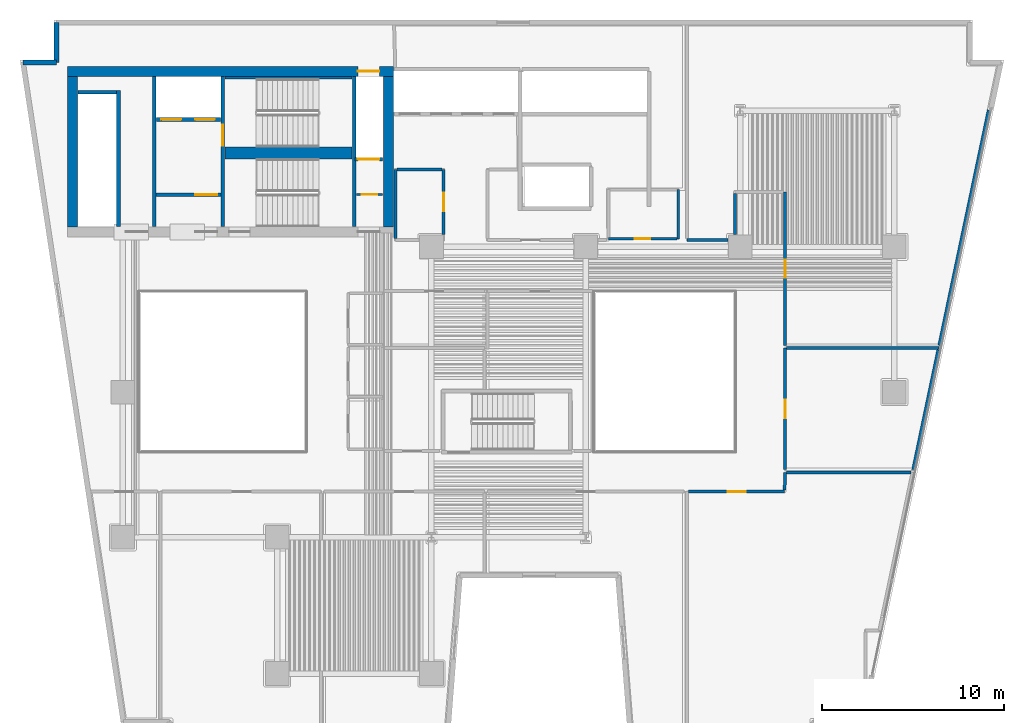
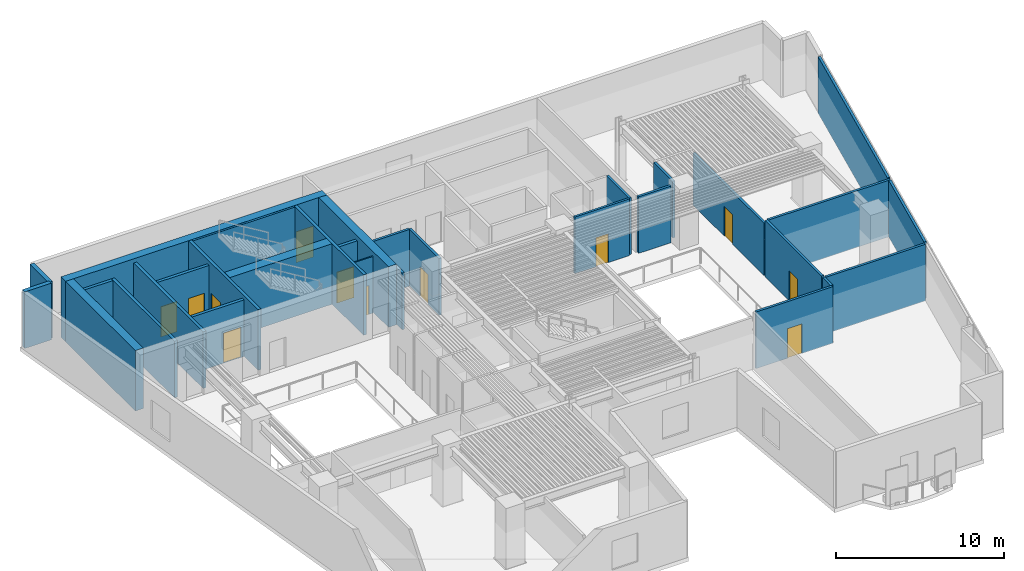
# One storey, part 5 of 12: 31 walls, 12 doors, 12 openings.
"""IFC4 building model written with IfcOpenShell, lengths in metres."""

from ifc_helpers import new_model, si_unit, direction, frame, frame_2d, origin, place, context, subcontext, project, spatial, rectangle, extrude, material, layer, layer_set, type_object, element, fill, save


model = new_model("IFC4")

# Units and contexts
model_context = context("Model", 3, precision=1e-05, world=origin(), true_north=direction((0.0, 1.0)))
body_context = subcontext(model_context, "Body", "Model", "MODEL_VIEW")
ifc_project = project(units=[si_unit("LENGTHUNIT", "METRE"), si_unit("AREAUNIT", "SQUARE_METRE"), si_unit("VOLUMEUNIT", "CUBIC_METRE"), si_unit("PLANEANGLEUNIT", "RADIAN"), si_unit("MASSUNIT", "GRAM", prefix="KILO")], contexts=[model_context])

# Site, building, storey
site_placement = place(None, origin())
site = spatial("IfcSite", under=ifc_project, at=site_placement, CompositionType="ELEMENT")
building_placement = place(site_placement, origin())
building = spatial("IfcBuilding", under=site, at=building_placement, Name="Caeloran Harvest Quay", CompositionType="ELEMENT")
storey_placement = place(building_placement, frame((0.0, 0.0, 88.60009765625)))
storey = spatial("IfcBuildingStorey", under=building, at=storey_placement, Name="L20", CompositionType="ELEMENT", Elevation=88.60009765625)

# Walls
ifc_material_1 = material(Name="Precast concrete C50/60", Category="concrete")
ifc_layer_1 = layer(ifc_material_1, 0.280029296875, Name="Precast concrete C50/60")
ifc_layer_set_1 = layer_set([ifc_layer_1], Name="Precast concrete C50/60")
wall_type_1 = type_object("IfcWallType", Name="ENV-WALL-EW-280", PredefinedType="STANDARD", material=ifc_layer_set_1)
wall_1_placement = place(storey_placement, frame((2.99755859375, 41.159912109375, 0.0), z_axis=(0.0, 0.0, 1.0), x_axis=(1.0, 0.0, 0.0)))
element("IfcWall", 1, at=wall_1_placement, inside=storey, type_object=wall_type_1, Name="L20 Exterior Precast Concrete Facade Wall 4", PredefinedType="STANDARD", context=body_context, shape_type="SweptSolid", body=[
    extrude(rectangle(XDim=1.842529296875, YDim=0.280029296875, at=frame_2d((0.92138671875, 0.0))), origin(), (0.0, 0.0, 1.0), 4.114990234375),
])
wall_2_placement = place(storey_placement, frame((4.840087890625, 41.159912109375, 0.0), z_axis=(0.0, 0.0, 1.0), x_axis=(0.0, 1.0, 0.0)))
element("IfcWall", 2, at=wall_2_placement, inside=storey, type_object=wall_type_1, Name="L20 Exterior Precast Concrete Facade Wall 5", PredefinedType="STANDARD", context=body_context, shape_type="SweptSolid", body=[
    extrude(rectangle(XDim=2.2001953125, YDim=0.280029296875, at=frame_2d((1.10009765625, 0.0))), origin(), (0.0, 0.0, 1.0), 4.114990234375),
])

# Wall, opening, door
ifc_material_2 = material(Name="Fire-Resisting Gypsum Core Riser Partition", Category="gypsum")
ifc_layer_2 = layer(ifc_material_2, 0.10009765625, Name="Fire-Resisting Gypsum Core Riser Partition")
ifc_layer_set_2 = layer_set([ifc_layer_2], Name="Fire-Resisting Gypsum Core Riser Partition")
wall_type_2 = type_object("IfcWallType", Name="INT-WALL-PW-100", PredefinedType="PARTITIONING", material=ifc_layer_set_2)
wall_3_placement = place(storey_placement, frame((21.3798828125, 33.889892578125, 0.0), z_axis=(0.0, 0.0, 1.0), x_axis=(1.0, 0.0, 0.0)))
wall_3 = element("IfcWall", 3, at=wall_3_placement, inside=storey, type_object=wall_type_2, Name="L20 Cleaner Store Partition Wall", PredefinedType="PARTITIONING", context=body_context, shape_type="SweptSolid", body=[
    extrude(rectangle(XDim=1.420166015625, YDim=0.10009765625, at=frame_2d((0.7099609375, 0.0))), origin(), (0.0, 0.0, 1.0), 4.114990234375),
])
opening_1_placement = place(wall_3_placement, frame((0.280029296875, 0.0, 0.0)))
opening_1 = element("IfcOpeningElement", 4, at=opening_1_placement, cuts=wall_3, Name="Opening SV-01", PredefinedType="OPENING", context=body_context, shape_type="SweptSolid", body=[
    extrude(rectangle(XDim=0.85009765625, YDim=2.10009765625, at=frame_2d((0.425048828125, 1.050048828125))), frame((0.0, 0.06005859375, 0.0), z_axis=(0.0, -1.0, 0.0), x_axis=(1.0, 0.0, 0.0)), (0.0, 0.0, 1.0), 0.1201171875),
])
ifc_material_3 = material(Name="Galvanized Painted Steel", Category="steel")
door_type_1 = type_object("IfcDoorType", Name="INTDOOR-SV-01", OperationType="NOTDEFINED", PredefinedType="DOOR", material=ifc_material_3)
door_1_placement = place(opening_1_placement, origin())
door_1 = element("IfcDoor", 5, at=door_1_placement, inside=storey, type_object=door_type_1, Name="L20 Cleaner Supply Store Access Door", OperationType="SINGLE_SWING_RIGHT", OverallHeight=2.10009765625, OverallWidth=0.85009765625, PredefinedType="DOOR", context=body_context, shape_type="SweptSolid", body=[
    extrude(rectangle(XDim=0.85009765625, YDim=2.10009765625, at=frame_2d((0.425048828125, 1.050048828125))), frame((0.0, 0.02490234375, 0.0), z_axis=(0.0, -1.0, 0.0), x_axis=(1.0, 0.0, 0.0)), (0.0, 0.0, 1.0), 0.050048828125),
])
fill(opening_1, door_1)

# Wall
ifc_material_4 = material(Name="Autoclaved Aerated Concrete Blockwork and Plasterboard", Category="masonry")
ifc_layer_3 = layer(ifc_material_4, 0.14990234375, Name="Autoclaved Aerated Concrete Blockwork and Plasterboard")
ifc_layer_set_3 = layer_set([ifc_layer_3], Name="Autoclaved Aerated Concrete Blockwork and Plasterboard")
wall_type_3 = type_object("IfcWallType", Name="INT-WALL-PW-150", PredefinedType="PARTITIONING", material=ifc_layer_set_3)
wall_4_placement = place(storey_placement, frame((39.10009765625, 34.14990234375, 0.0), z_axis=(0.0, 0.0, 1.0), x_axis=(0.0, -1.0, 0.0)))
element("IfcWall", 6, at=wall_4_placement, inside=storey, type_object=wall_type_3, Name="L20 Core Auxiliary Equipment Room Partition Wall", PredefinedType="PARTITIONING", context=body_context, shape_type="SweptSolid", body=[
    extrude(rectangle(XDim=2.699951171875, YDim=0.14990234375, at=frame_2d((1.35009765625, 0.0))), origin(), (0.0, 0.0, 1.0), 4.114990234375),
])

# Wall, opening, door
wall_5_placement = place(storey_placement, frame((39.02001953125, 31.449951171875, 0.0), z_axis=(0.0, 0.0, 1.0), x_axis=(-1.0, 0.0, 0.0)))
wall_5 = element("IfcWall", 7, at=wall_5_placement, inside=storey, type_object=wall_type_3, Name="L20 Core Auxiliary Equipment Room Partition Wall", PredefinedType="PARTITIONING", context=body_context, shape_type="SweptSolid", body=[
    extrude(rectangle(XDim=3.77001953125, YDim=0.14990234375, at=frame_2d((1.885009765625, 0.0))), origin(), (0.0, 0.0, 1.0), 4.114990234375),
])
opening_2_placement = place(wall_5_placement, frame((1.4599609375, 0.0, 0.0)))
opening_2 = element("IfcOpeningElement", 8, at=opening_2_placement, cuts=wall_5, Name="Opening SV-01", PredefinedType="OPENING", context=body_context, shape_type="SweptSolid", body=[
    extrude(rectangle(XDim=0.85009765625, YDim=2.10009765625, at=frame_2d((0.425048828125, 1.050048828125))), frame((0.0, 0.0849609375, 0.0), z_axis=(0.0, -1.0, 0.0), x_axis=(1.0, 0.0, 0.0)), (0.0, 0.0, 1.0), 0.169921875),
])
door_2_placement = place(opening_2_placement, origin())
door_2 = element("IfcDoor", 9, at=door_2_placement, inside=storey, type_object=door_type_1, Name="L20 Core Auxiliary Equipment Room Access Door", OperationType="SINGLE_SWING_RIGHT", OverallHeight=2.10009765625, OverallWidth=0.85009765625, PredefinedType="DOOR", context=body_context, shape_type="SweptSolid", body=[
    extrude(rectangle(XDim=0.85009765625, YDim=2.10009765625, at=frame_2d((0.425048828125, 1.050048828125))), frame((0.0, 0.02490234375, 0.0), z_axis=(0.0, -1.0, 0.0), x_axis=(1.0, 0.0, 0.0)), (0.0, 0.0, 1.0), 0.050048828125),
])
fill(opening_2, door_2)

ifc_material_5 = material(Name="Autoclaved Aerated Concrete Blockwork", Category="masonry")
ifc_layer_4 = layer(ifc_material_5, 0.1650390625, Name="Autoclaved Aerated Concrete Blockwork")
ifc_layer_set_4 = layer_set([ifc_layer_4], Name="Autoclaved Aerated Concrete Blockwork")
wall_type_4 = type_object("IfcWallType", Name="INT-WALL-PW-165", PredefinedType="PARTITIONING", material=ifc_layer_set_4)
wall_6_placement = place(storey_placement, frame((39.66748046875, 17.52001953125, 0.0), z_axis=(0.0, 0.0, 1.0), x_axis=(1.0, 0.0, 0.0)))
wall_6 = element("IfcWall", 10, at=wall_6_placement, inside=storey, type_object=wall_type_4, Name="Sensory Fermentation Kitchen Partition Wall", PredefinedType="PARTITIONING", context=body_context, shape_type="SweptSolid", body=[
    extrude(rectangle(XDim=5.282470703125, YDim=0.1650390625, at=frame_2d((2.64111328125, 0.0))), origin(), (0.0, 0.0, 1.0), 4.114990234375),
])
opening_3_placement = place(wall_6_placement, frame((2.141357421875, 0.0, 0.0)))
opening_3 = element("IfcOpeningElement", 11, at=opening_3_placement, cuts=wall_6, Name="Opening ID-01", PredefinedType="OPENING", context=body_context, shape_type="SweptSolid", body=[
    extrude(rectangle(XDim=1.0, YDim=2.14990234375, at=frame_2d((0.5, 1.074951171875))), frame((0.0, 0.092529296875, 0.0), z_axis=(0.0, -1.0, 0.0), x_axis=(1.0, 0.0, 0.0)), (0.0, 0.0, 1.0), 0.18505859375),
])
ifc_material_6 = material(Name="FSC Solid-Core Ash Timber and Acoustic Seal", Category="wood")
door_type_2 = type_object("IfcDoorType", Name="INTDOOR-ID-01", OperationType="NOTDEFINED", PredefinedType="DOOR", material=ifc_material_6)
door_3_placement = place(opening_3_placement, origin())
door_3 = element("IfcDoor", 12, at=door_3_placement, inside=storey, type_object=door_type_2, Name="Sensory Fermentation Kitchen Access Door", OperationType="SINGLE_SWING_RIGHT", OverallHeight=2.14990234375, OverallWidth=1.0, PredefinedType="DOOR", context=body_context, shape_type="SweptSolid", body=[
    extrude(rectangle(XDim=1.0, YDim=2.14990234375, at=frame_2d((0.5, 1.074951171875))), frame((0.0, 0.02490234375, 0.0), z_axis=(0.0, -1.0, 0.0), x_axis=(1.0, 0.0, 0.0)), (0.0, 0.0, 1.0), 0.050048828125),
])
fill(opening_3, door_3)

# Walls
wall_7_placement = place(storey_placement, frame((44.952392578125, 17.606689453125, 0.0), z_axis=(0.0, 0.0, 1.0), x_axis=(0.028624859452, 0.999590224753, 0.0)))
element("IfcWall", 13, at=wall_7_placement, inside=storey, type_object=wall_type_4, Name="Sensory Fermentation Kitchen Partition Wall", PredefinedType="PARTITIONING", context=body_context, shape_type="SweptSolid", body=[
    extrude(rectangle(XDim=0.9638671875, YDim=0.1650390625, at=frame_2d((0.48193359375, 0.0))), origin(), (0.0, 0.0, 1.0), 4.114990234375),
])
wall_8_placement = place(storey_placement, frame((45.06689453125, 18.570068359375, 0.0), z_axis=(0.0, 0.0, 1.0), x_axis=(1.0, 0.0, 0.0)))
element("IfcWall", 14, at=wall_8_placement, inside=storey, type_object=wall_type_4, Name="Sensory Fermentation Kitchen Partition Wall", PredefinedType="PARTITIONING", context=body_context, shape_type="SweptSolid", body=[
    extrude(rectangle(XDim=6.8408203125, YDim=0.1650390625, at=frame_2d((3.42041015625, 0.0))), origin(), (0.0, 0.0, 1.0), 4.114990234375),
])

# Wall, opening, door
wall_9_placement = place(storey_placement, frame((44.97998046875, 18.72998046875, 0.0), z_axis=(0.0, 0.0, 1.0), x_axis=(0.0, 1.0, 0.0)))
wall_9 = element("IfcWall", 15, at=wall_9_placement, inside=storey, type_object=wall_type_4, Name="Chef Development Kitchen Partition Wall", PredefinedType="PARTITIONING", context=body_context, shape_type="SweptSolid", body=[
    extrude(rectangle(XDim=6.68994140625, YDim=0.1650390625, at=frame_2d((3.344970703125, 0.0))), origin(), (0.0, 0.0, 1.0), 4.114990234375),
])
opening_4_placement = place(wall_9_placement, frame((2.844970703125, 0.0, 0.0)))
opening_4 = element("IfcOpeningElement", 16, at=opening_4_placement, cuts=wall_9, Name="Opening ID-01", PredefinedType="OPENING", context=body_context, shape_type="SweptSolid", body=[
    extrude(rectangle(XDim=1.0, YDim=2.14990234375, at=frame_2d((0.5, 1.074951171875))), frame((0.0, 0.092529296875, 0.0), z_axis=(0.0, -1.0, 0.0), x_axis=(1.0, 0.0, 0.0)), (0.0, 0.0, 1.0), 0.18505859375),
])
door_4_placement = place(opening_4_placement, origin())
door_4 = element("IfcDoor", 17, at=door_4_placement, inside=storey, type_object=door_type_2, Name="Chef Development Kitchen Access Door", OperationType="SINGLE_SWING_LEFT", OverallHeight=2.14990234375, OverallWidth=1.0, PredefinedType="DOOR", context=body_context, shape_type="SweptSolid", body=[
    extrude(rectangle(XDim=1.0, YDim=2.14990234375, at=frame_2d((0.5, 1.074951171875))), frame((0.0, 0.02490234375, 0.0), z_axis=(0.0, -1.0, 0.0), x_axis=(1.0, 0.0, 0.0)), (0.0, 0.0, 1.0), 0.050048828125),
])
fill(opening_4, door_4)

# Walls
wall_10_placement = place(storey_placement, frame((45.0673828125, 25.419921875, 0.0), z_axis=(0.0, 0.0, 1.0), x_axis=(1.0, 0.0, 0.0)))
element("IfcWall", 18, at=wall_10_placement, inside=storey, type_object=wall_type_4, Name="Chef Development Kitchen Partition Wall", PredefinedType="PARTITIONING", context=body_context, shape_type="SweptSolid", body=[
    extrude(rectangle(XDim=8.384033203125, YDim=0.1650390625, at=frame_2d((4.19189453125, 0.0))), origin(), (0.0, 0.0, 1.0), 4.114990234375),
])
wall_11_placement = place(storey_placement, frame((53.41748046875, 25.33251953125, 0.0), z_axis=(0.0, 0.0, 1.0), x_axis=(-0.205508916106, -0.978655243383, 0.0)))
element("IfcWall", 19, at=wall_11_placement, inside=storey, type_object=wall_type_4, Name="Chef Development Kitchen Partition Wall", PredefinedType="PARTITIONING", context=body_context, shape_type="SweptSolid", body=[
    extrude(rectangle(XDim=6.74658203125, YDim=0.1650390625, at=frame_2d((3.373291015625, 0.0))), origin(), (0.0, 0.0, 1.0), 4.114990234375),
])

# Wall, opening, door
wall_12_placement = place(storey_placement, frame((26.169921875, 35.27001953125, 0.0), z_axis=(0.0, 0.0, 1.0), x_axis=(0.0, -1.0, 0.0)))
wall_12 = element("IfcWall", 20, at=wall_12_placement, inside=storey, type_object=wall_type_4, Name="Sensory Fermentation Kitchen 10 Partition Wall", PredefinedType="PARTITIONING", context=body_context, shape_type="SweptSolid", body=[
    extrude(rectangle(XDim=3.594970703125, YDim=0.1650390625, at=frame_2d((1.79736328125, 0.0))), origin(), (0.0, 0.0, 1.0), 4.114990234375),
])
opening_5_placement = place(wall_12_placement, frame((1.297607421875, 0.0, 0.0)))
opening_5 = element("IfcOpeningElement", 21, at=opening_5_placement, cuts=wall_12, Name="Opening ID-01", PredefinedType="OPENING", context=body_context, shape_type="SweptSolid", body=[
    extrude(rectangle(XDim=1.0, YDim=2.14990234375, at=frame_2d((0.5, 1.074951171875))), frame((0.0, 0.092529296875, 0.0), z_axis=(0.0, -1.0, 0.0), x_axis=(1.0, 0.0, 0.0)), (0.0, 0.0, 1.0), 0.18505859375),
])
door_5_placement = place(opening_5_placement, origin())
door_5 = element("IfcDoor", 22, at=door_5_placement, inside=storey, type_object=door_type_2, Name="Sensory Fermentation Kitchen 10 Access Door", OperationType="SINGLE_SWING_RIGHT", OverallHeight=2.14990234375, OverallWidth=1.0, PredefinedType="DOOR", context=body_context, shape_type="SweptSolid", body=[
    extrude(rectangle(XDim=1.0, YDim=2.14990234375, at=frame_2d((0.5, 1.074951171875))), frame((0.0, 0.02490234375, 0.0), z_axis=(0.0, -1.0, 0.0), x_axis=(1.0, 0.0, 0.0)), (0.0, 0.0, 1.0), 0.050048828125),
])
fill(opening_5, door_5)

# Walls
wall_13_placement = place(storey_placement, frame((23.510009765625, 31.467529296875, 0.0), z_axis=(0.0, 0.0, 1.0), x_axis=(0.0, 1.0, 0.0)))
element("IfcWall", 23, at=wall_13_placement, inside=storey, type_object=wall_type_4, Name="Sensory Fermentation Kitchen 10 Partition Wall", PredefinedType="PARTITIONING", context=body_context, shape_type="SweptSolid", body=[
    extrude(rectangle(XDim=3.804443359375, YDim=0.1650390625, at=frame_2d((1.90234375, 0.0))), origin(), (0.0, 0.0, 1.0), 4.114990234375),
])
wall_14_placement = place(storey_placement, frame((23.597412109375, 35.27001953125, 0.0), z_axis=(0.0, 0.0, 1.0), x_axis=(1.0, 0.0, 0.0)))
element("IfcWall", 24, at=wall_14_placement, inside=storey, type_object=wall_type_4, Name="Sensory Fermentation Kitchen 10 Partition Wall", PredefinedType="PARTITIONING", context=body_context, shape_type="SweptSolid", body=[
    extrude(rectangle(XDim=2.485107421875, YDim=0.1650390625, at=frame_2d((1.24267578125, 0.0))), origin(), (0.0, 0.0, 1.0), 4.114990234375),
])
wall_15_placement = place(storey_placement, frame((56.1943359375, 38.547607421875, 0.0), z_axis=(0.0, 0.0, 1.0), x_axis=(-0.205602819639, -0.978635519771, 0.0)))
element("IfcWall", 25, at=wall_15_placement, inside=storey, type_object=wall_type_4, Name="Gastronomy Seminar Room 11 Partition Wall", PredefinedType="PARTITIONING", context=body_context, shape_type="SweptSolid", body=[
    extrude(rectangle(XDim=13.250732421875, YDim=0.1650390625, at=frame_2d((6.62548828125, 0.0))), origin(), (0.0, 0.0, 1.0), 4.114990234375),
])

# Wall, opening, door
wall_16_placement = place(storey_placement, frame((44.97998046875, 25.580078125, 0.0), z_axis=(0.0, 0.0, 1.0), x_axis=(0.0, 1.0, 0.0)))
wall_16 = element("IfcWall", 26, at=wall_16_placement, inside=storey, type_object=wall_type_4, Name="Gastronomy Seminar Room 11 Partition Wall", PredefinedType="PARTITIONING", context=body_context, shape_type="SweptSolid", body=[
    extrude(rectangle(XDim=8.449951171875, YDim=0.1650390625, at=frame_2d((4.22509765625, 0.0))), origin(), (0.0, 0.0, 1.0), 3.7998046875),
])
opening_6_placement = place(wall_16_placement, frame((3.72509765625, 0.0, 0.0)))
opening_6 = element("IfcOpeningElement", 27, at=opening_6_placement, cuts=wall_16, Name="Opening ID-01", PredefinedType="OPENING", context=body_context, shape_type="SweptSolid", body=[
    extrude(rectangle(XDim=1.0, YDim=2.14990234375, at=frame_2d((0.5, 1.074951171875))), frame((0.0, 0.092529296875, 0.0), z_axis=(0.0, -1.0, 0.0), x_axis=(1.0, 0.0, 0.0)), (0.0, 0.0, 1.0), 0.18505859375),
])
door_6_placement = place(opening_6_placement, origin())
door_6 = element("IfcDoor", 28, at=door_6_placement, inside=storey, type_object=door_type_2, Name="Gastronomy Seminar Room 11 Access Door", OperationType="SINGLE_SWING_LEFT", OverallHeight=2.14990234375, OverallWidth=1.0, PredefinedType="DOOR", context=body_context, shape_type="SweptSolid", body=[
    extrude(rectangle(XDim=1.0, YDim=2.14990234375, at=frame_2d((0.5, 1.074951171875))), frame((0.0, 0.02490234375, 0.0), z_axis=(0.0, -1.0, 0.0), x_axis=(1.0, 0.0, 0.0)), (0.0, 0.0, 1.0), 0.050048828125),
])
fill(opening_6, door_6)

# Walls
wall_17_placement = place(storey_placement, frame((42.219970703125, 33.9423828125, 0.0), z_axis=(0.0, 0.0, 1.0), x_axis=(0.0, -1.0, 0.0)))
element("IfcWall", 29, at=wall_17_placement, inside=storey, type_object=wall_type_4, Name="Gastronomy Seminar Room 11 Partition Wall", PredefinedType="PARTITIONING", context=body_context, shape_type="SweptSolid", body=[
    extrude(rectangle(XDim=2.267333984375, YDim=0.1650390625, at=frame_2d((1.1337890625, 0.0))), origin(), (0.0, 0.0, 1.0), 4.114990234375),
])
wall_18_placement = place(storey_placement, frame((41.824951171875, 31.3798828125, 0.0), z_axis=(0.0, 0.0, 1.0), x_axis=(-1.0, 0.0, 0.0)))
element("IfcWall", 30, at=wall_18_placement, inside=storey, type_object=wall_type_4, Name="Gastronomy Seminar Room 11 Partition Wall", PredefinedType="PARTITIONING", context=body_context, shape_type="SweptSolid", body=[
    extrude(rectangle(XDim=2.244873046875, YDim=0.1650390625, at=frame_2d((1.12255859375, 0.0))), origin(), (0.0, 0.0, 1.0), 4.114990234375),
])
ifc_material_7 = material(Name="Concrete C50/60", Category="concrete")
ifc_layer_5 = layer(ifc_material_7, 0.199951171875, Name="Concrete C50/60")
ifc_layer_set_5 = layer_set([ifc_layer_5], Name="Concrete C50/60")
wall_type_5 = type_object("IfcWallType", Name="INT-WALL-SW-200", PredefinedType="PARTITIONING", material=ifc_layer_set_5)
wall_19_placement = place(storey_placement, frame((8.260009765625, 32.1201171875, 0.0), z_axis=(0.0, 0.0, 1.0), x_axis=(0.0, 1.0, 0.0)))
element("IfcWall", 31, at=wall_19_placement, inside=storey, type_object=wall_type_5, Name="L20 Bank 3 Lift Shaft Wall", PredefinedType="PARTITIONING", context=body_context, shape_type="SweptSolid", body=[
    extrude(rectangle(XDim=7.5, YDim=0.199951171875, at=frame_2d((3.75, 0.0))), origin(), (0.0, 0.0, 1.0), 4.114990234375),
])
wall_20_placement = place(storey_placement, frame((6.02001953125, 39.52001953125, 0.0), z_axis=(0.0, 0.0, 1.0), x_axis=(1.0, 0.0, 0.0)))
element("IfcWall", 32, at=wall_20_placement, inside=storey, type_object=wall_type_5, Name="L20 Bank 3 Lift Shaft North End Wall", PredefinedType="PARTITIONING", context=body_context, shape_type="SweptSolid", body=[
    extrude(rectangle(XDim=2.119873046875, YDim=0.199951171875, at=frame_2d((1.06005859375, 0.0))), origin(), (0.0, 0.0, 1.0), 4.114990234375),
])
wall_21_placement = place(storey_placement, frame((10.219970703125, 32.1201171875, 0.0), z_axis=(0.0, 0.0, 1.0), x_axis=(0.0, 1.0, 0.0)))
element("IfcWall", 33, at=wall_21_placement, inside=storey, type_object=wall_type_5, Name="L20 Core Lobby Compartment Wall", PredefinedType="PARTITIONING", context=body_context, shape_type="SweptSolid", body=[
    extrude(rectangle(XDim=8.259765625, YDim=0.199951171875, at=frame_2d((4.1298828125, 0.0))), origin(), (0.0, 0.0, 1.0), 4.114990234375),
])

# Wall, openings, doors
wall_22_placement = place(storey_placement, frame((10.340087890625, 38.02001953125, 0.0), z_axis=(0.0, 0.0, 1.0), x_axis=(1.0, 0.0, 0.0)))
wall_22 = element("IfcWall", 34, at=wall_22_placement, inside=storey, type_object=wall_type_5, Name="L20 Firefighting Lift Shaft Wall", PredefinedType="PARTITIONING", context=body_context, shape_type="SweptSolid", body=[
    extrude(rectangle(XDim=3.539794921875, YDim=0.199951171875, at=frame_2d((1.77001953125, 0.0))), origin(), (0.0, 0.0, 1.0), 4.114990234375),
])
opening_7_placement = place(wall_22_placement, frame((0.284912109375, 0.0, 0.0)))
opening_7 = element("IfcOpeningElement", 35, at=opening_7_placement, cuts=wall_22, Name="Opening LD-01", PredefinedType="OPENING", context=body_context, shape_type="SweptSolid", body=[
    extrude(rectangle(XDim=1.10009765625, YDim=2.199951171875, at=frame_2d((0.550048828125, 1.10009765625))), frame((0.0, 0.10986328125, 0.0), z_axis=(0.0, -1.0, 0.0), x_axis=(1.0, 0.0, 0.0)), (0.0, 0.0, 1.0), 0.219970703125),
])
opening_8_placement = place(wall_22_placement, frame((2.135009765625, 0.0, 0.0)))
opening_8 = element("IfcOpeningElement", 36, at=opening_8_placement, cuts=wall_22, Name="Opening LD-01", PredefinedType="OPENING", context=body_context, shape_type="SweptSolid", body=[
    extrude(rectangle(XDim=1.10009765625, YDim=2.199951171875, at=frame_2d((0.550048828125, 1.10009765625))), frame((0.0, 0.10986328125, 0.0), z_axis=(0.0, -1.0, 0.0), x_axis=(1.0, 0.0, 0.0)), (0.0, 0.0, 1.0), 0.219970703125),
])
ifc_material_8 = material(Name="Stainless Steel Grade 316", Category="steel")
door_type_3 = type_object("IfcDoorType", Name="INTDOOR-LD-01", OperationType="NOTDEFINED", PredefinedType="DOOR", material=ifc_material_8)
door_7_placement = place(opening_7_placement, origin())
door_7 = element("IfcDoor", 37, at=door_7_placement, inside=storey, type_object=door_type_3, Name="Lift FF-1 Sliding Landing Door (L20)", OperationType="DOUBLE_DOOR_SLIDING", OverallHeight=2.199951171875, OverallWidth=1.10009765625, PredefinedType="DOOR", context=body_context, shape_type="SweptSolid", body=[
    extrude(rectangle(XDim=1.10009765625, YDim=2.199951171875, at=frame_2d((0.550048828125, 1.10009765625))), frame((0.0, 0.02490234375, 0.0), z_axis=(0.0, -1.0, 0.0), x_axis=(1.0, 0.0, 0.0)), (0.0, 0.0, 1.0), 0.050048828125),
])
fill(opening_7, door_7)
door_8_placement = place(opening_8_placement, origin())
door_8 = element("IfcDoor", 38, at=door_8_placement, inside=storey, type_object=door_type_3, Name="Lift FF-2 Sliding Landing Door (L20)", OperationType="DOUBLE_DOOR_SLIDING", OverallHeight=2.199951171875, OverallWidth=1.10009765625, PredefinedType="DOOR", context=body_context, shape_type="SweptSolid", body=[
    extrude(rectangle(XDim=1.10009765625, YDim=2.199951171875, at=frame_2d((0.550048828125, 1.10009765625))), frame((0.0, 0.02490234375, 0.0), z_axis=(0.0, -1.0, 0.0), x_axis=(1.0, 0.0, 0.0)), (0.0, 0.0, 1.0), 0.050048828125),
])
fill(opening_8, door_8)

# Wall, opening, door
wall_23_placement = place(storey_placement, frame((10.340087890625, 33.8798828125, 0.0), z_axis=(0.0, 0.0, 1.0), x_axis=(1.0, 0.0, 0.0)))
wall_23 = element("IfcWall", 39, at=wall_23_placement, inside=storey, type_object=wall_type_5, Name="L20 Firefighting Lift Lobby Enclosure Wall", PredefinedType="PARTITIONING", context=body_context, shape_type="SweptSolid", body=[
    extrude(rectangle(XDim=3.559814453125, YDim=0.199951171875, at=frame_2d((1.77978515625, 0.0))), origin(), (0.0, 0.0, 1.0), 4.114990234375),
])
opening_9_placement = place(wall_23_placement, frame((2.14990234375, 0.0, 0.0)))
opening_9 = element("IfcOpeningElement", 40, at=opening_9_placement, cuts=wall_23, Name="Opening FD-01", PredefinedType="OPENING", context=body_context, shape_type="SweptSolid", body=[
    extrude(rectangle(XDim=1.199951171875, YDim=2.199951171875, at=frame_2d((0.60009765625, 1.10009765625))), frame((0.0, 0.10986328125, 0.0), z_axis=(0.0, -1.0, 0.0), x_axis=(1.0, 0.0, 0.0)), (0.0, 0.0, 1.0), 0.219970703125),
])
ifc_material_9 = material(Name="Steel", Category="steel")
door_type_4 = type_object("IfcDoorType", Name="INTDOOR-FD-01", OperationType="NOTDEFINED", PredefinedType="DOOR", material=ifc_material_9)
door_9_placement = place(opening_9_placement, origin())
door_9 = element("IfcDoor", 41, at=door_9_placement, inside=storey, type_object=door_type_4, Name="L20 Firefighting Lift Lobby Smoke-Seal Fire Door", OperationType="SINGLE_SWING_RIGHT", OverallHeight=2.199951171875, OverallWidth=1.199951171875, PredefinedType="DOOR", context=body_context, shape_type="SweptSolid", body=[
    extrude(rectangle(XDim=1.199951171875, YDim=2.199951171875, at=frame_2d((0.60009765625, 1.10009765625))), frame((0.0, 0.02490234375, 0.0), z_axis=(0.0, -1.0, 0.0), x_axis=(1.0, 0.0, 0.0)), (0.0, 0.0, 1.0), 0.050048828125),
])
fill(opening_9, door_9)

wall_24_placement = place(storey_placement, frame((21.300048828125, 35.820068359375, 0.0), z_axis=(0.0, 0.0, 1.0), x_axis=(1.0, 0.0, 0.0)))
wall_24 = element("IfcWall", 42, at=wall_24_placement, inside=storey, type_object=wall_type_5, Name="L20 Service Lift SV-2 Shaft Wall", PredefinedType="PARTITIONING", context=body_context, shape_type="SweptSolid", body=[
    extrude(rectangle(XDim=1.5, YDim=0.199951171875, at=frame_2d((0.75, 0.0))), origin(), (0.0, 0.0, 1.0), 4.114990234375),
])
opening_10_placement = place(wall_24_placement, frame((0.14501953125, 0.0, 0.0)))
opening_10 = element("IfcOpeningElement", 43, at=opening_10_placement, cuts=wall_24, Name="Opening LD-02", PredefinedType="OPENING", context=body_context, shape_type="SweptSolid", body=[
    extrude(rectangle(XDim=1.179931640625, YDim=2.25, at=frame_2d((0.58984375, 1.125))), frame((0.0, 0.10986328125, 0.0), z_axis=(0.0, -1.0, 0.0), x_axis=(1.0, 0.0, 0.0)), (0.0, 0.0, 1.0), 0.219970703125),
])
door_type_5 = type_object("IfcDoorType", Name="INTDOOR-LD-02", OperationType="NOTDEFINED", PredefinedType="DOOR", material=ifc_material_8)
door_10_placement = place(opening_10_placement, origin())
door_10 = element("IfcDoor", 44, at=door_10_placement, inside=storey, type_object=door_type_5, Name="Lift SV-2 Sliding Landing Door (L20)", OperationType="DOUBLE_DOOR_SLIDING", OverallHeight=2.25, OverallWidth=1.179931640625, PredefinedType="DOOR", context=body_context, shape_type="SweptSolid", body=[
    extrude(rectangle(XDim=1.179931640625, YDim=2.25, at=frame_2d((0.58984375, 1.125))), frame((0.0, 0.02490234375, 0.0), z_axis=(0.0, -1.0, 0.0), x_axis=(1.0, 0.0, 0.0)), (0.0, 0.0, 1.0), 0.050048828125),
])
fill(opening_10, door_10)

ifc_material_10 = material(Name="Concrete C80/95", Category="concrete")
ifc_layer_6 = layer(ifc_material_10, 0.550048828125, Name="Concrete C80/95")
ifc_layer_set_6 = layer_set([ifc_layer_6], Name="Concrete C80/95")
wall_type_6 = type_object("IfcWallType", Name="STR-WALL-CW-550", PredefinedType="SHEAR", material=ifc_layer_set_6)
wall_25_placement = place(storey_placement, frame((5.449951171875, 40.675048828125, 0.0), z_axis=(0.0, 0.0, 1.0), x_axis=(1.0, 0.0, 0.0)))
wall_25 = element("IfcWall", 45, at=wall_25_placement, inside=storey, type_object=wall_type_6, Name="L20 Rear Core Shear Wall N", PredefinedType="SHEAR", context=body_context, shape_type="SweptSolid", body=[
    extrude(rectangle(XDim=17.949951171875, YDim=0.550048828125, at=frame_2d((8.97509765625, 0.0))), origin(), (0.0, 0.0, 1.0), 4.39990234375),
])
opening_11_placement = place(wall_25_placement, frame((15.9951171875, 0.0, 0.0)))
opening_11 = element("IfcOpeningElement", 46, at=opening_11_placement, cuts=wall_25, Name="Opening LD-02", PredefinedType="OPENING", context=body_context, shape_type="SweptSolid", body=[
    extrude(rectangle(XDim=1.179931640625, YDim=2.25, at=frame_2d((0.58984375, 1.125))), frame((0.0, 0.28515625, 0.0), z_axis=(0.0, -1.0, 0.0), x_axis=(1.0, 0.0, 0.0)), (0.0, 0.0, 1.0), 0.570068359375),
])
door_11_placement = place(opening_11_placement, origin())
door_11 = element("IfcDoor", 47, at=door_11_placement, inside=storey, type_object=door_type_5, Name="Lift SV-1 Sliding Landing Door (L20)", OperationType="DOUBLE_DOOR_SLIDING", OverallHeight=2.25, OverallWidth=1.179931640625, PredefinedType="DOOR", context=body_context, shape_type="SweptSolid", body=[
    extrude(rectangle(XDim=1.179931640625, YDim=2.25, at=frame_2d((0.58984375, 1.125))), frame((0.0, 0.02490234375, 0.0), z_axis=(0.0, -1.0, 0.0), x_axis=(1.0, 0.0, 0.0)), (0.0, 0.0, 1.0), 0.050048828125),
])
fill(opening_11, door_11)

# Walls
for number, where, z_axis, x_axis, name in (
    (48, (5.72509765625, 32.10009765625, 0.0), (0.0, 0.0, 1.0), (0.0, 1.0, 0.0), "L20 Rear Core Shear Wall W"),
    (49, (23.125, 32.10009765625, 0.0), (0.0, 0.0, 1.0), (0.0, 1.0, 0.0), "L20 Rear Core Shear Wall E"),
):
    element("IfcWall", number, at=place(storey_placement, frame(where, z_axis=z_axis, x_axis=x_axis)), inside=storey, type_object=wall_type_6, Name=name, PredefinedType="SHEAR", context=body_context, shape_type="SweptSolid", body=[
        extrude(rectangle(XDim=8.2998046875, YDim=0.550048828125, at=frame_2d((4.14990234375, 0.0))), origin(), (0.0, 0.0, 1.0), 4.39990234375),
    ])
ifc_material_11 = material(Name="Concrete C60/75", Category="concrete")
ifc_layer_7 = layer(ifc_material_11, 0.64990234375, Name="Concrete C60/75")
ifc_layer_set_7 = layer_set([ifc_layer_7], Name="Concrete C60/75")
wall_type_7 = type_object("IfcWallType", Name="STR-WALL-CW-650", PredefinedType="SHEAR", material=ifc_layer_set_7)
wall_26_placement = place(storey_placement, frame((14.1201171875, 36.175048828125, 0.0), z_axis=(0.0, 0.0, 1.0), x_axis=(1.0, 0.0, 0.0)))
element("IfcWall", 50, at=wall_26_placement, inside=storey, type_object=wall_type_7, Name="L20 Core Stairs Dividing Shear Wall", PredefinedType="SHEAR", context=body_context, shape_type="SweptSolid", body=[
    extrude(rectangle(XDim=7.009765625, YDim=0.64990234375, at=frame_2d((3.5048828125, 0.0))), origin(), (0.0, 0.0, 1.0), 4.39990234375),
])
ifc_layer_8 = layer(ifc_material_11, 0.139892578125, Name="Concrete C60/75")
ifc_layer_set_8 = layer_set([ifc_layer_8], Name="Concrete C60/75")
wall_type_8 = type_object("IfcWallType", Name="STR-WALL-SW-140", PredefinedType="SHEAR", material=ifc_layer_set_8)
wall_27_placement = place(storey_placement, frame((14.1201171875, 40.320068359375, 0.0), z_axis=(0.0, 0.0, 1.0), x_axis=(1.0, 0.0, 0.0)))
element("IfcWall", 51, at=wall_27_placement, inside=storey, type_object=wall_type_8, Name="L20 Core Stair ST-C1 North Bearing Shear Wall", PredefinedType="SHEAR", context=body_context, shape_type="SweptSolid", body=[
    extrude(rectangle(XDim=7.009765625, YDim=0.139892578125, at=frame_2d((3.5048828125, 0.0))), origin(), (0.0, 0.0, 1.0), 4.39990234375),
])

# Wall, opening, door
ifc_layer_9 = layer(ifc_material_11, 0.199951171875, Name="Concrete C60/75")
ifc_layer_set_9 = layer_set([ifc_layer_9], Name="Concrete C60/75")
wall_type_9 = type_object("IfcWallType", Name="STR-WALL-SW-200", PredefinedType="SHEAR", material=ifc_layer_set_9)
wall_28_placement = place(storey_placement, frame((14.0, 32.1201171875, 0.0), z_axis=(0.0, 0.0, 1.0), x_axis=(0.0, 1.0, 0.0)))
wall_28 = element("IfcWall", 52, at=wall_28_placement, inside=storey, type_object=wall_type_9, Name="L20 Core Stair Shaft West Shear Wall", PredefinedType="SHEAR", context=body_context, shape_type="SweptSolid", body=[
    extrude(rectangle(XDim=8.259765625, YDim=0.199951171875, at=frame_2d((4.1298828125, 0.0))), origin(), (0.0, 0.0, 1.0), 4.39990234375),
])
opening_12_placement = place(wall_28_placement, frame((4.4599609375, 0.0, 0.0)))
opening_12 = element("IfcOpeningElement", 53, at=opening_12_placement, cuts=wall_28, Name="Opening SD-01", PredefinedType="OPENING", context=body_context, shape_type="SweptSolid", body=[
    extrude(rectangle(XDim=1.14990234375, YDim=2.199951171875, at=frame_2d((0.574951171875, 1.10009765625))), frame((0.0, 0.10986328125, 0.0), z_axis=(0.0, -1.0, 0.0), x_axis=(1.0, 0.0, 0.0)), (0.0, 0.0, 1.0), 0.219970703125),
])
door_type_6 = type_object("IfcDoorType", Name="INTDOOR-SD-01", OperationType="NOTDEFINED", PredefinedType="DOOR", material=ifc_material_9)
door_12_placement = place(opening_12_placement, origin())
door_12 = element("IfcDoor", 54, at=door_12_placement, inside=storey, type_object=door_type_6, Name="L20 Protected Stair ST-C1 Exit Door", OperationType="SINGLE_SWING_LEFT", OverallHeight=2.199951171875, OverallWidth=1.14990234375, PredefinedType="DOOR", context=body_context, shape_type="SweptSolid", body=[
    extrude(rectangle(XDim=1.14990234375, YDim=2.199951171875, at=frame_2d((0.574951171875, 1.10009765625))), frame((0.0, 0.02490234375, 0.0), z_axis=(0.0, -1.0, 0.0), x_axis=(1.0, 0.0, 0.0)), (0.0, 0.0, 1.0), 0.050048828125),
])
fill(opening_12, door_12)

# Wall
wall_29_placement = place(storey_placement, frame((21.25, 32.1201171875, 0.0), z_axis=(0.0, 0.0, 1.0), x_axis=(0.0, 1.0, 0.0)))
element("IfcWall", 55, at=wall_29_placement, inside=storey, type_object=wall_type_9, Name="L20 Core Stair Shaft East Shear Wall", PredefinedType="SHEAR", context=body_context, shape_type="SweptSolid", body=[
    extrude(rectangle(XDim=8.259765625, YDim=0.199951171875, at=frame_2d((4.1298828125, 0.0))), origin(), (0.0, 0.0, 1.0), 4.39990234375),
])

save(model, "model.ifc")
